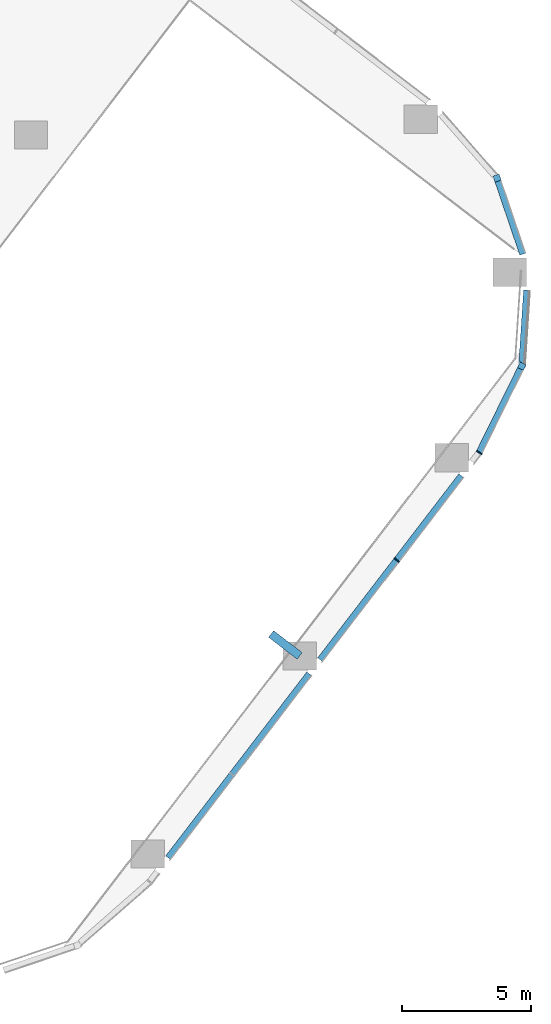
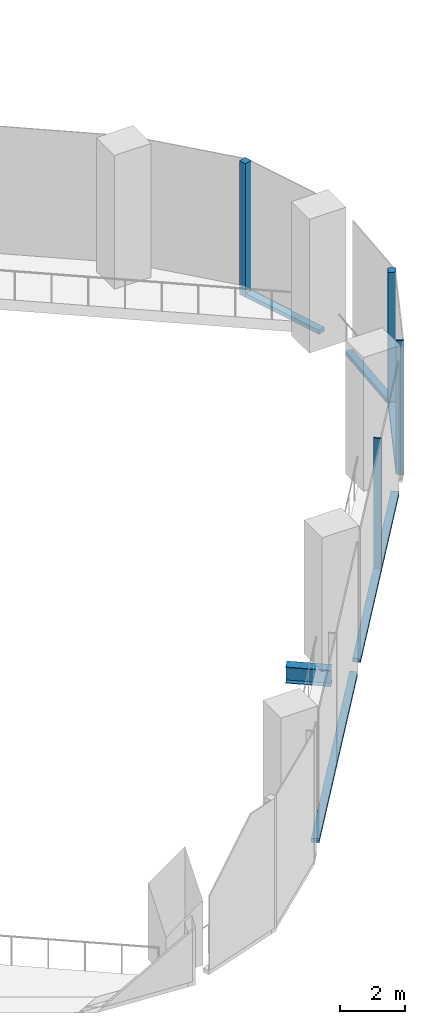
# One storey, part 8 of 29: 9 members, 1 beam, 4 elements without a shape of their own.
"""IFC4 building model written with IfcOpenShell, lengths in metres."""

from ifc_helpers import new_model, si_unit, direction, frame, origin, origin_2d, place, context, subcontext, project, spatial, rectangle, i_section, extrude, material, material_profile, profile_set, type_object, element, aggregate, save


model = new_model("IFC4")

# Units and contexts
model_context = context("Model", 3, precision=1e-05, world=origin(), true_north=direction((0.0, 1.0)))
body_context = subcontext(model_context, "Body", "Model", "MODEL_VIEW")
ifc_project = project(units=[si_unit("LENGTHUNIT", "METRE"), si_unit("AREAUNIT", "SQUARE_METRE"), si_unit("VOLUMEUNIT", "CUBIC_METRE"), si_unit("PLANEANGLEUNIT", "RADIAN"), si_unit("MASSUNIT", "GRAM", prefix="KILO")], contexts=[model_context])

# Site, building, storey
site_placement = place(None, origin())
site = spatial("IfcSite", under=ifc_project, at=site_placement, CompositionType="ELEMENT")
building_placement = place(site_placement, origin())
building = spatial("IfcBuilding", under=site, at=building_placement, Name="Orlundy Tower", CompositionType="ELEMENT")
storey_placement = place(building_placement, frame((0.0, 0.0, 15.5)))
storey = spatial("IfcBuildingStorey", under=building, at=storey_placement, Name="L02", CompositionType="ELEMENT", Elevation=15.5)

# Beam
ifc_material_1 = material(Name="Steel ASTM A992 Gr 50", Category="steel")
ifc_material_profile_1 = material_profile(ifc_material_1, i_section(OverallWidth=0.32373046875, OverallDepth=0.611083984375, WebThickness=0.0126953125, FlangeThickness=0.01904296875, at=origin_2d()), Name="W24X104")
ifc_profile_set_1 = profile_set([ifc_material_profile_1], Name="Steel ASTM A992 Gr 50")
beam_type = type_object("IfcBeamType", Name="CANTILEVER GIRDER beam W24X104", PredefinedType="BEAM", material=ifc_profile_set_1)
beam_placement = place(storey_placement, frame((47.52197265625, -36.465087890625, -0.70556640625), z_axis=(-0.793317161278, 0.608808575516, 0.0), x_axis=(-0.608808575516, -0.793317161278, 0.0)))
element("IfcBeam", 1, at=beam_placement, inside=storey, type_object=beam_type, Name="Floor strip stub beam L02", PredefinedType="BEAM", context=body_context, shape_type="SweptSolid", body=[
    extrude(i_section(OverallWidth=0.32373046875, OverallDepth=0.611083984375, WebThickness=0.0126953125, FlangeThickness=0.01904296875, at=origin_2d()), origin(), (0.0, 0.0, 1.0), 1.39990234375),
])

# Curtain wall, member
ifc_material_2 = material(Name="Aluminium bronze anodised", Category="aluminium")
curtain_wall_type = type_object("IfcCurtainWallType", Name="CW2 wall", PredefinedType="NOTDEFINED", material=ifc_material_2)
curtain_wall_1_placement = place(storey_placement, origin())
curtain_wall_1 = element("IfcCurtainWall", 2, at=curtain_wall_1_placement, inside=storey, type_object=curtain_wall_type, Name="CW2 run 020", PredefinedType="NOTDEFINED")
ifc_material_3 = material(Name="Aluminium bronze anodised", Category="aluminium")
ifc_material_profile_2 = material_profile(ifc_material_3, rectangle(XDim=0.25, YDim=0.25, at=origin_2d()), Name="CW2 corner post 250x250")
ifc_profile_set_2 = profile_set([ifc_material_profile_2], Name="Aluminium bronze anodised")
member_type_1 = type_object("IfcMemberType", Name="CW2 corner post 250x250", PredefinedType="MULLION", material=ifc_profile_set_2)
member_1_placement = place(storey_placement, frame((55.1904296875, -17.9033203125, -0.39990234375), z_axis=(0.0, 0.0, 1.0), x_axis=(0.946887788144, 0.321564171921, 0.0)))
member_1 = element("IfcMember", 3, at=member_1_placement, type_object=member_type_1, Name="CW2 mullion 58", PredefinedType="MULLION", context=body_context, shape_type="SweptSolid", body=[
    extrude(rectangle(XDim=0.25, YDim=0.25, at=origin_2d()), origin(), (0.0, 0.0, 1.0), 5.0),
])

curtain_wall_2_placement = place(storey_placement, origin())
curtain_wall_2 = element("IfcCurtainWall", 4, at=curtain_wall_2_placement, inside=storey, type_object=curtain_wall_type, Name="CW2 run 022", PredefinedType="NOTDEFINED")
member_2_placement = place(storey_placement, frame((56.152099609375, -25.2080078125, -0.39990234375), z_axis=(0.0, 0.0, 1.0), x_axis=(0.896948547323, -0.442134938063, 0.0)))
member_2 = element("IfcMember", 5, at=member_2_placement, type_object=member_type_1, Name="CW2 mullion 60", PredefinedType="MULLION", context=body_context, shape_type="SweptSolid", body=[
    extrude(rectangle(XDim=0.25, YDim=0.25, at=origin_2d()), origin(), (0.0, 0.0, 1.0), 5.0),
])

# Curtain wall, members
curtain_wall_3_placement = place(storey_placement, origin())
curtain_wall_3 = element("IfcCurtainWall", 6, at=curtain_wall_3_placement, inside=storey, type_object=curtain_wall_type, Name="CW2 run 023", PredefinedType="NOTDEFINED")
ifc_material_4 = material(Name="Aluminium bronze anodised", Category="aluminium")
ifc_material_profile_3 = material_profile(ifc_material_4, rectangle(XDim=0.25, YDim=0.050048828125, at=origin_2d()), Name="CW2 mullion 50x250")
ifc_profile_set_3 = profile_set([ifc_material_profile_3], Name="Aluminium bronze anodised")
member_type_2 = type_object("IfcMemberType", Name="CW2 mullion 50x250", PredefinedType="MULLION", material=ifc_profile_set_3)
member_3_placement = place(storey_placement, frame((54.49658203125, -28.56640625, -0.39990234375), z_axis=(0.0, 0.0, 1.0), x_axis=(0.849244125141, -0.528000393858, 0.0)))
member_3 = element("IfcMember", 7, at=member_3_placement, type_object=member_type_2, Name="CW2 mullion 61", PredefinedType="MULLION", context=body_context, shape_type="SweptSolid", body=[
    extrude(rectangle(XDim=0.25, YDim=0.050048828125, at=origin_2d()), origin(), (0.0, 0.0, 1.0), 5.0),
])
member_4_placement = place(storey_placement, frame((51.293212890625, -32.7412109375, -0.39990234375), z_axis=(0.0, 0.0, 1.0), x_axis=(0.793345695949, -0.60877139118, 0.0)))
member_4 = element("IfcMember", 8, at=member_4_placement, type_object=member_type_2, Name="CW2 mullion 62", PredefinedType="MULLION", context=body_context, shape_type="SweptSolid", body=[
    extrude(rectangle(XDim=0.25, YDim=0.050048828125, at=origin_2d()), origin(), (0.0, 0.0, 1.0), 5.0),
])

# Member
ifc_material_5 = material(Name="Aluminium bronze anodised", Category="aluminium")
ifc_material_profile_4 = material_profile(ifc_material_5, rectangle(XDim=0.25, YDim=0.14990234375, at=origin_2d()), Name="CW2 transom 250x150")
ifc_profile_set_4 = profile_set([ifc_material_profile_4], Name="Aluminium bronze anodised")
member_type_3 = type_object("IfcMemberType", Name="CW2 transom 250x150", PredefinedType="USERDEFINED", material=ifc_profile_set_4)
member_5_placement = place(storey_placement, frame((55.23046875, -18.021728515625, -0.324951171875), z_axis=(0.321632114973, -0.946864711888, 0.0), x_axis=(0.946864711888, 0.321632114973, 0.0)))
member_5 = element("IfcMember", 9, at=member_5_placement, type_object=member_type_3, Name="CW2 transom", ObjectType="TRANSOM", PredefinedType="USERDEFINED", context=body_context, shape_type="SweptSolid", body=[
    extrude(rectangle(XDim=0.25, YDim=0.14990234375, at=origin_2d()), origin(), (0.0, 0.0, 1.0), 2.9921875),
])

aggregate(curtain_wall_1, [member_1, member_5])

# Curtain wall, member
curtain_wall_4_placement = place(storey_placement, origin())
curtain_wall_4 = element("IfcCurtainWall", 10, at=curtain_wall_4_placement, inside=storey, type_object=curtain_wall_type, Name="CW2 run 021", PredefinedType="NOTDEFINED")
member_6_placement = place(storey_placement, frame((56.34619140625, -22.2548828125, -0.324951171875), z_axis=(-0.065612448488, -0.997845181681, 0.0), x_axis=(0.997845181681, -0.065612448488, 0.0)))
member_6 = element("IfcMember", 11, at=member_6_placement, type_object=member_type_3, Name="CW2 transom", ObjectType="TRANSOM", PredefinedType="USERDEFINED", context=body_context, shape_type="SweptSolid", body=[
    extrude(rectangle(XDim=0.25, YDim=0.14990234375, at=origin_2d()), origin(), (0.0, 0.0, 1.0), 2.82421875),
])
aggregate(curtain_wall_4, [member_6])

# Member
member_7_placement = place(storey_placement, frame((56.096923828125, -25.320068359375, -0.324951171875), z_axis=(-0.442152508269, -0.896939886186, 0.0), x_axis=(0.896939886186, -0.442152508269, 0.0)))
member_7 = element("IfcMember", 12, at=member_7_placement, type_object=member_type_3, Name="CW2 transom", ObjectType="TRANSOM", PredefinedType="USERDEFINED", context=body_context, shape_type="SweptSolid", body=[
    extrude(rectangle(XDim=0.25, YDim=0.14990234375, at=origin_2d()), origin(), (0.0, 0.0, 1.0), 3.593994140625),
])

aggregate(curtain_wall_2, [member_2, member_7])

member_8_placement = place(storey_placement, frame((53.803955078125, -29.468994140625, -0.324951171875), z_axis=(-0.608769580289, -0.793347085527, 0.0), x_axis=(0.793347085527, -0.608769580289, 0.0)))
member_8 = element("IfcMember", 13, at=member_8_placement, type_object=member_type_3, Name="CW2 transom", ObjectType="TRANSOM", PredefinedType="USERDEFINED", context=body_context, shape_type="SweptSolid", body=[
    extrude(rectangle(XDim=0.25, YDim=0.14990234375, at=origin_2d()), origin(), (0.0, 0.0, 1.0), 9.0048828125),
])

member_9_placement = place(storey_placement, frame((47.8984375, -37.1650390625, -0.324951171875), z_axis=(-0.608774734676, -0.793343130317, 0.0), x_axis=(0.793343130317, -0.608774734676, 0.0)))
member_9 = element("IfcMember", 14, at=member_9_placement, type_object=member_type_3, Name="CW2 transom", ObjectType="TRANSOM", PredefinedType="USERDEFINED", context=body_context, shape_type="SweptSolid", body=[
    extrude(rectangle(XDim=0.25, YDim=0.14990234375, at=origin_2d()), origin(), (0.0, 0.0, 1.0), 9.004150390625),
])

aggregate(curtain_wall_3, [member_3, member_4, member_8, member_9])

save(model, "model.ifc")
